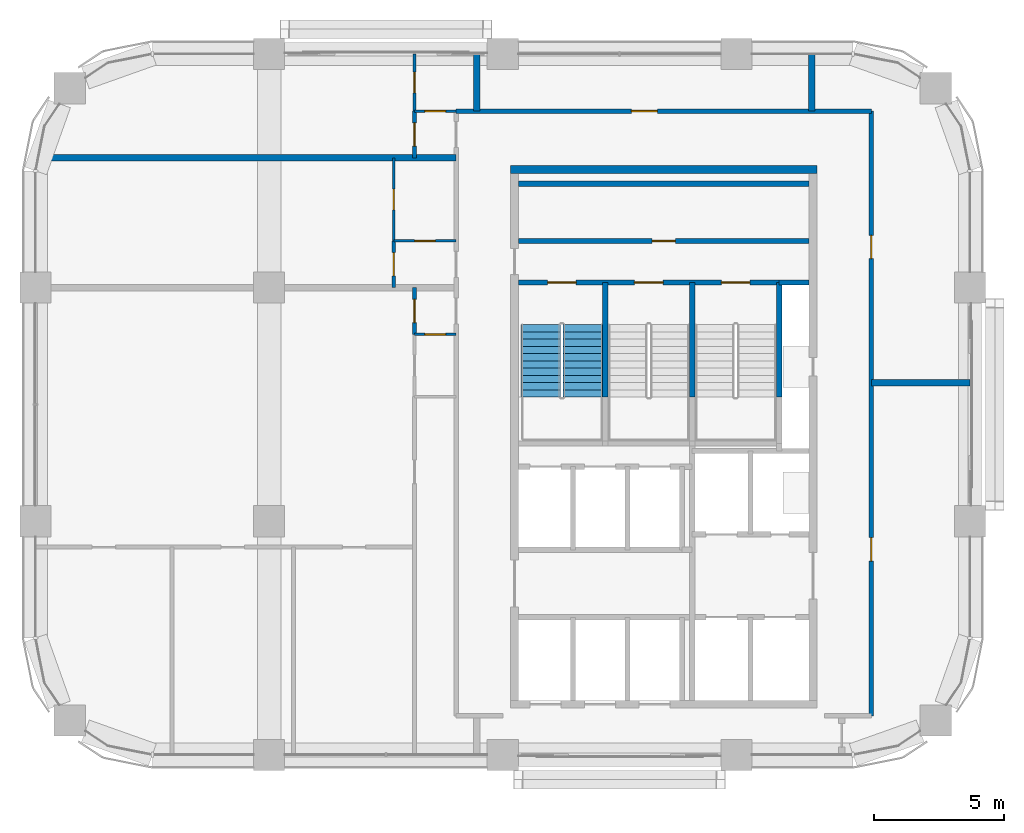
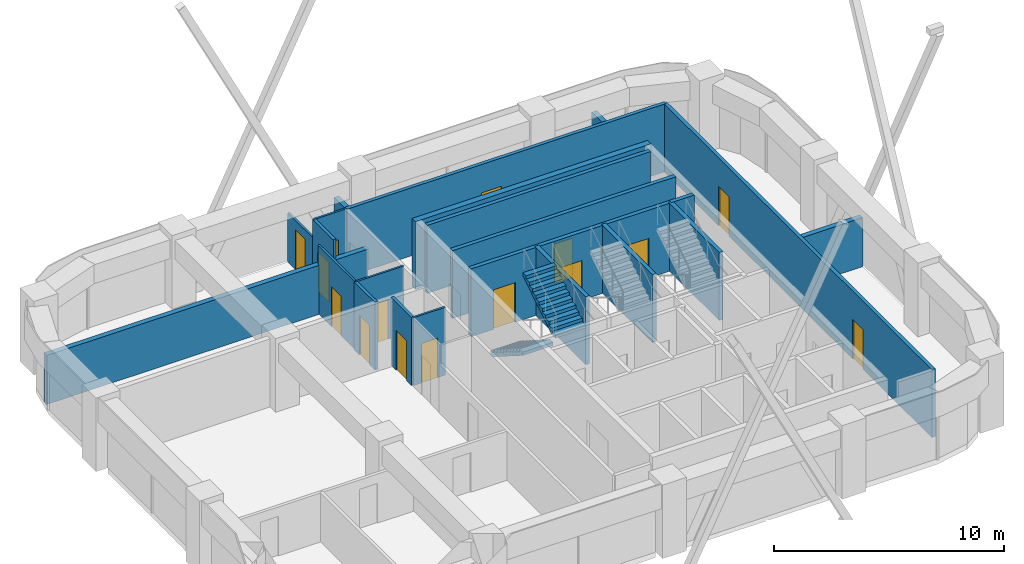
# One storey, part 8 of 10: 22 walls, 15 doors, 2 stair flights, 15 openings, 1 element without a shape of its own.
"""IFC4 building model written with IfcOpenShell, lengths in metres."""

import ifcopenshell
import ifcopenshell.guid

model = None  # the IFC model being written
_history = None  # IfcOwnerHistory: only IFC2X3 demands one
_inside = {}  # id of a spatial element -> (the spatial element, [elements in it])
_under = {}  # id of a project, library or spatial element -> (it, [spatial elements below it])
_declared = {}  # id of a project -> (the project, [libraries it declares])
_typed = {}  # id of a type object -> (the type object, [elements of that type])
_made_of = {}  # id of a material, layer set ... -> (it, [elements and type objects made of it])


def new_model(schema):
    """Start an empty IFC model of exactly this schema.

    Asked for "IFC4X3", IfcOpenShell would pick the latest addendum, in which some entities
    have other attributes; the version numbers below select the first issue.
    IFC2X3 requires an IfcOwnerHistory on every rooted entity: one is made here for all.
    """
    global model, _history
    if schema == "IFC4X3":
        model = ifcopenshell.file(schema_version=(4, 3, 0, 0))
    else:
        model = ifcopenshell.file(schema=schema)
    _inside.clear()
    _under.clear()
    _declared.clear()
    _typed.clear()
    _made_of.clear()
    _history = None
    if model.schema == "IFC2X3":
        org = make("IfcOrganization", Name="unknown")
        user = make(
            "IfcPersonAndOrganization",
            ThePerson=make("IfcPerson", FamilyName="unknown"),
            TheOrganization=org,
        )
        app = make(
            "IfcApplication",
            ApplicationDeveloper=org,
            Version="unknown",
            ApplicationFullName="unknown",
            ApplicationIdentifier="unknown",
        )
        _history = make(
            "IfcOwnerHistory",
            OwningUser=user,
            OwningApplication=app,
            ChangeAction="ADDED",
            CreationDate=0,
        )
    return model


def make(cls, **values):
    """One entity of the class cls with the attributes given. An attribute that is None is left unset."""
    return model.create_entity(
        cls, **{name: value for name, value in values.items() if value is not None}
    )


def rooted(cls, **values):
    """An entity with a GlobalId (a new one), such as an element, a storey or a relation."""
    return make(cls, GlobalId=ifcopenshell.guid.new(), OwnerHistory=_history, **values)


def si_unit(unit_type, name, prefix=None):
    """IfcSIUnit, for example si_unit("LENGTHUNIT", "METRE", prefix="MILLI")."""
    return make("IfcSIUnit", UnitType=unit_type, Prefix=prefix, Name=name)


def assignment(units):
    """IfcUnitAssignment: the units of a project."""
    return None if units is None else make("IfcUnitAssignment", Units=units)


def point(xyz):
    """IfcCartesianPoint."""
    return None if xyz is None else make("IfcCartesianPoint", Coordinates=xyz)


def direction(xyz):
    """IfcDirection."""
    return None if xyz is None else make("IfcDirection", DirectionRatios=xyz)


def frame(location, z_axis=None, x_axis=None):
    """IfcAxis2Placement3D, a coordinate frame: its origin and axes. An axis left out is left unset."""
    return make(
        "IfcAxis2Placement3D",
        Location=point(location),
        Axis=direction(z_axis),
        RefDirection=direction(x_axis),
    )


def frame_2d(location, x_axis=None):
    """IfcAxis2Placement2D, a coordinate frame in the plane: its origin and x axis."""
    return make(
        "IfcAxis2Placement2D", Location=point(location), RefDirection=direction(x_axis)
    )


def origin():
    """The frame at (0, 0, 0) with its axes left unset."""
    return frame((0.0, 0.0, 0.0))


def place(relative_to, where):
    """IfcLocalPlacement: puts the frame where relative to a parent placement (None: the world)."""
    return make(
        "IfcLocalPlacement", PlacementRelTo=relative_to, RelativePlacement=where
    )


def context(
    kind, dimensions, precision=None, world=None, true_north=None, identifier=None
):
    """IfcGeometricRepresentationContext, for example the 3D "Model" context."""
    return make(
        "IfcGeometricRepresentationContext",
        ContextIdentifier=identifier,
        ContextType=kind,
        CoordinateSpaceDimension=dimensions,
        Precision=precision,
        WorldCoordinateSystem=world,
        TrueNorth=true_north,
    )


def subcontext(parent, identifier, kind, view, scale=None):
    """IfcGeometricRepresentationSubContext, for example "Body" below "Model"."""
    return make(
        "IfcGeometricRepresentationSubContext",
        ContextIdentifier=identifier,
        ContextType=kind,
        ParentContext=parent,
        TargetScale=scale,
        TargetView=view,
    )


def project(units=None, contexts=None):
    """IfcProject with its units and contexts."""
    return rooted(
        "IfcProject",
        Name="project",
        RepresentationContexts=contexts,
        UnitsInContext=assignment(units),
    )


def spatial(cls, under=None, at=None, **own):
    """A site, building, storey or space (cls), placed at a placement, below another one or the project."""
    s = rooted(cls, ObjectPlacement=at, **own)
    if under is not None:
        _under.setdefault(under.id(), (under, []))[1].append(s)
    return s


def polyline(points):
    """IfcPolyline through the points."""
    return make("IfcPolyline", Points=[point(p) for p in points])


def profile(cls, at=None, kind="AREA", **sizes):
    """A parametric profile (cls). Its sizes go by their IFC names, for example OverallWidth=200.0."""
    return make(cls, ProfileType=kind, Position=at, **sizes)


def rectangle(**sizes):
    """IfcRectangleProfileDef."""
    return profile("IfcRectangleProfileDef", **sizes)


def outline(outer, holes=None, kind="AREA"):
    """IfcArbitraryClosedProfileDef: a profile drawn as a closed curve; with holes, ...WithVoids."""
    if holes is None:
        return make("IfcArbitraryClosedProfileDef", ProfileType=kind, OuterCurve=outer)
    return make(
        "IfcArbitraryProfileDefWithVoids",
        ProfileType=kind,
        OuterCurve=outer,
        InnerCurves=holes,
    )


def extrude(swept, where, along, depth):
    """IfcExtrudedAreaSolid: the profile swept, set in the frame where, extruded along a direction by depth."""
    return make(
        "IfcExtrudedAreaSolid",
        SweptArea=swept,
        Position=where,
        ExtrudedDirection=direction(along),
        Depth=depth,
    )


def shape(context_of_items, identifier, shape_type, items):
    """IfcShapeRepresentation: the items that make up one representation, for example the "Body"."""
    return make(
        "IfcShapeRepresentation",
        ContextOfItems=context_of_items,
        RepresentationIdentifier=identifier,
        RepresentationType=shape_type,
        Items=items,
    )


def material(Name=None, Category=None):
    """IfcMaterial."""
    return make("IfcMaterial", Name=Name, Category=Category)


def layer(
    of_material, thickness, ventilated=None, Name=None, Category=None, Priority=None
):
    """IfcMaterialLayer: one layer of a wall or slab, of a material (None: an air gap)."""
    return make(
        "IfcMaterialLayer",
        Material=of_material,
        LayerThickness=thickness,
        IsVentilated=ventilated,
        Name=Name,
        Category=Category,
        Priority=Priority,
    )


def layer_set(layers, Name=None):
    """IfcMaterialLayerSet."""
    return make("IfcMaterialLayerSet", MaterialLayers=layers, LayerSetName=Name)


def made_of(thing, what):
    """Note that an element or type object is made of a material, layer set ...; save() writes the relation."""
    if what is not None:
        _made_of.setdefault(what.id(), (what, []))[1].append(thing)
    return thing


def type_object(cls, material=None, **own):
    """A type object (cls), such as IfcWallType, which elements share."""
    return made_of(rooted(cls, **own), material)


def element(
    cls,
    number,
    at=None,
    inside=None,
    cuts=None,
    type_object=None,
    material=None,
    context=None,
    identifier="Body",
    shape_type=None,
    held_by="IfcProductDefinitionShape",
    body=None,
    shapes=None,
    **own,
):
    """One element of the class cls, such as IfcWall. Its Tag is "e" and its number.

    at: its placement. inside: the storey or other place that contains it. cuts: it is an
    opening in that element (IfcRelVoidsElement). A single representation is given by context,
    identifier, shape_type and body (its items); several are given by shapes. held_by: the class
    of the entity that holds the representations. save() writes the other relations.
    """
    e = rooted(cls, Tag="e%d" % number, ObjectPlacement=at, **own)
    if body is not None:
        shapes = [shape(context, identifier, shape_type, body)]
    if shapes is not None:
        e.Representation = make(held_by, Representations=shapes)
    if inside is not None:
        _inside.setdefault(inside.id(), (inside, []))[1].append(e)
    if cuts is not None:
        rooted(
            "IfcRelVoidsElement", RelatingBuildingElement=cuts, RelatedOpeningElement=e
        )
    if type_object is not None:
        _typed.setdefault(type_object.id(), (type_object, []))[1].append(e)
    return made_of(e, material)


def fill(opening, filler):
    """IfcRelFillsElement: the door or window that sits in an opening."""
    return rooted(
        "IfcRelFillsElement",
        RelatingOpeningElement=opening,
        RelatedBuildingElement=filler,
    )


def aggregate(whole, parts):
    """IfcRelAggregates: a whole, such as a stair, and the parts it consists of."""
    return rooted("IfcRelAggregates", RelatingObject=whole, RelatedObjects=parts)


def save(model, path):
    """Write the relations noted so far, then the file.

    IfcRelAggregates (storeys below a building ...), IfcRelContainedInSpatialStructure (elements
    in a storey), IfcRelDefinesByType, IfcRelAssociatesMaterial and IfcRelDeclares: one each for
    every whole, place, type object, material and project.
    """
    for whole, parts in _under.values():
        aggregate(whole, parts)
    for where, things in _inside.values():
        rooted(
            "IfcRelContainedInSpatialStructure",
            RelatedElements=things,
            RelatingStructure=where,
        )
    for kind, things in _typed.values():
        rooted("IfcRelDefinesByType", RelatedObjects=things, RelatingType=kind)
    for what, things in _made_of.values():
        rooted("IfcRelAssociatesMaterial", RelatedObjects=things, RelatingMaterial=what)
    for by, libraries in _declared.values():
        rooted("IfcRelDeclares", RelatingContext=by, RelatedDefinitions=libraries)
    model.write(path)


model = new_model("IFC4")

# Units and contexts
model_context = context("Model", 3, precision=1e-05, world=origin(), true_north=direction((0.0, 1.0)))
body_context = subcontext(model_context, "Body", "Model", "MODEL_VIEW")
ifc_project = project(units=[si_unit("LENGTHUNIT", "METRE"), si_unit("AREAUNIT", "SQUARE_METRE"), si_unit("VOLUMEUNIT", "CUBIC_METRE"), si_unit("PLANEANGLEUNIT", "RADIAN"), si_unit("MASSUNIT", "GRAM", prefix="KILO")], contexts=[model_context])

# Site, building, storey
site_placement = place(None, origin())
site = spatial("IfcSite", under=ifc_project, at=site_placement, CompositionType="ELEMENT")
building_placement = place(site_placement, origin())
building = spatial("IfcBuilding", under=site, at=building_placement, Name="Tessera Arch", CompositionType="ELEMENT")
storey_placement = place(building_placement, frame((0.0, 0.0, 301.199951171875)))
storey = spatial("IfcBuildingStorey", under=building, at=storey_placement, Name="L72", CompositionType="ELEMENT", Elevation=301.199951171875)

# Wall, opening, door
ifc_material_1 = material(Name="Gypsum board on steel stud", Category="steel")
ifc_layer_1 = layer(ifc_material_1, 0.125)
ifc_layer_set_1 = layer_set([ifc_layer_1], Name="Core partition 125 EI 60")
wall_type_1 = type_object("IfcWallType", Name="Core partition 125 EI 60", PredefinedType="PARTITIONING", material=ifc_layer_set_1)
wall_1_placement = place(storey_placement, frame((36.60009765625, 46.800048828125, 0.0), z_axis=(0.0, 0.0, 1.0), x_axis=(1.0, 0.0, 0.0)))
wall_1 = element("IfcWall", 1, at=wall_1_placement, inside=storey, type_object=wall_type_1, Name="L72 C1 partition wall 30", PredefinedType="PARTITIONING", context=body_context, shape_type="SweptSolid", body=[
    extrude(rectangle(XDim=11.199951171875, YDim=0.199951171875, at=frame_2d((5.60009765625, 0.0))), origin(), (0.0, 0.0, 1.0), 3.60009765625),
])
opening_1_placement = place(wall_1_placement, frame((5.14990234375, 0.0, 0.0)))
opening_1 = element("IfcOpeningElement", 2, at=opening_1_placement, cuts=wall_1, Name="Opening L72-C18", PredefinedType="OPENING", context=body_context, shape_type="SweptSolid", body=[
    extrude(rectangle(XDim=0.89990234375, YDim=2.10009765625, at=frame_2d((0.449951171875, 1.050048828125))), frame((0.0, 0.10986328125, 0.0), z_axis=(0.0, -1.0, 0.0), x_axis=(1.0, 0.0, 0.0)), (0.0, 0.0, 1.0), 0.219970703125),
])
ifc_material_2 = material(Name="Steel door leaf", Category="steel")
door_type_1 = type_object("IfcDoorType", Name="Store door FD30S 900 x 2100", OperationType="SINGLE_SWING_LEFT", PredefinedType="DOOR", material=ifc_material_2)
door_1_placement = place(opening_1_placement, origin())
door_1 = element("IfcDoor", 3, at=door_1_placement, inside=storey, type_object=door_type_1, Name="L72 C1 door 18 C18 type D09", OperationType="SINGLE_SWING_RIGHT", OverallHeight=2.10009765625, OverallWidth=0.89990234375, PredefinedType="DOOR", context=body_context, shape_type="SweptSolid", body=[
    extrude(rectangle(XDim=0.89990234375, YDim=2.10009765625, at=frame_2d((0.449951171875, 1.050048828125))), frame((0.0, 0.02490234375, 0.0), z_axis=(0.0, -1.0, 0.0), x_axis=(1.0, 0.0, 0.0)), (0.0, 0.0, 1.0), 0.050048828125),
])
fill(opening_1, door_1)

# Walls
wall_2_placement = place(storey_placement, frame((36.60009765625, 49.0, 0.0), z_axis=(0.0, 0.0, 1.0), x_axis=(1.0, 0.0, 0.0)))
element("IfcWall", 4, at=wall_2_placement, inside=storey, type_object=wall_type_1, Name="L72 C1 partition wall 31", PredefinedType="PARTITIONING", context=body_context, shape_type="SweptSolid", body=[
    extrude(rectangle(XDim=11.199951171875, YDim=0.199951171875, at=frame_2d((5.60009765625, 0.0))), origin(), (0.0, 0.0, 1.0), 3.60009765625),
])
ifc_material_3 = material(Name="Concrete C50/60", Category="concrete")
ifc_layer_2 = layer(ifc_material_3, 0.300048828125)
ifc_layer_set_2 = layer_set([ifc_layer_2], Name="Core shell wall 300 C50-60")
wall_type_2 = type_object("IfcWallType", Name="Core shell wall 300 C50-60", PredefinedType="SHEAR", material=ifc_layer_set_2)
wall_3_placement = place(storey_placement, frame((36.300048828125, 49.550048828125, 0.0), z_axis=(0.0, 0.0, 1.0), x_axis=(1.0, 0.0, 0.0)))
element("IfcWall", 5, at=wall_3_placement, inside=storey, type_object=wall_type_2, Name="L72 C1 core wall N", PredefinedType="SHEAR", context=body_context, shape_type="SweptSolid", body=[
    extrude(rectangle(XDim=11.800048828125, YDim=0.300048828125, at=frame_2d((5.89990234375, 0.0))), origin(), (0.0, 0.0, 1.0), 3.60009765625),
])

# Wall, opening, door
ifc_material_4 = material(Name="Gypsum board on deep steel stud with mineral wool", Category="steel")
ifc_layer_3 = layer(ifc_material_4, 0.175048828125)
ifc_layer_set_3 = layer_set([ifc_layer_3], Name="Corridor wall 175 EI 60")
wall_type_3 = type_object("IfcWallType", Name="Corridor wall 175 EI 60", PredefinedType="PARTITIONING", material=ifc_layer_set_3)
wall_4_placement = place(storey_placement, frame((34.199951171875, 51.800048828125, 0.0), z_axis=(0.0, 0.0, 1.0), x_axis=(1.0, 0.0, 0.0)))
wall_4 = element("IfcWall", 6, at=wall_4_placement, inside=storey, type_object=wall_type_3, Name="L72 partition 3", PredefinedType="PARTITIONING", context=body_context, shape_type="SweptSolid", body=[
    extrude(rectangle(XDim=16.0, YDim=0.175048828125, at=frame_2d((8.0, 0.0))), origin(), (0.0, 0.0, 1.0), 3.60009765625),
])
opening_2_placement = place(wall_4_placement, frame((6.756591796875, 0.0, 0.0)))
opening_2 = element("IfcOpeningElement", 7, at=opening_2_placement, cuts=wall_4, Name="Opening L72-D019", PredefinedType="OPENING", context=body_context, shape_type="SweptSolid", body=[
    extrude(rectangle(XDim=1.0, YDim=2.10009765625, at=frame_2d((0.5, 1.050048828125))), frame((0.0, 0.097412109375, 0.0), z_axis=(0.0, -1.0, 0.0), x_axis=(1.0, 0.0, 0.0)), (0.0, 0.0, 1.0), 0.195068359375),
])
ifc_material_5 = material(Name="Fire-rated door leaf")
door_type_2 = type_object("IfcDoorType", Name="Entrance door FD30S 1000 x 2100", OperationType="SINGLE_SWING_LEFT", PredefinedType="DOOR", material=ifc_material_5)
door_2_placement = place(opening_2_placement, origin())
door_2 = element("IfcDoor", 8, at=door_2_placement, inside=storey, type_object=door_type_2, Name="L72 door D019 type D03", OperationType="SINGLE_SWING_LEFT", OverallHeight=2.10009765625, OverallWidth=1.0, PredefinedType="DOOR", context=body_context, shape_type="SweptSolid", body=[
    extrude(rectangle(XDim=1.0, YDim=2.10009765625, at=frame_2d((0.5, 1.050048828125))), frame((0.0, 0.02490234375, 0.0), z_axis=(0.0, -1.0, 0.0), x_axis=(1.0, 0.0, 0.0)), (0.0, 0.0, 1.0), 0.050048828125),
])
fill(opening_2, door_2)

# Wall, openings, doors
wall_5_placement = place(storey_placement, frame((50.199951171875, 28.5, 0.0), z_axis=(0.0, 0.0, 1.0), x_axis=(0.0, 1.0, 0.0)))
wall_5 = element("IfcWall", 9, at=wall_5_placement, inside=storey, type_object=wall_type_3, Name="L72 partition 5", PredefinedType="PARTITIONING", context=body_context, shape_type="SweptSolid", body=[
    extrude(rectangle(XDim=23.300048828125, YDim=0.175048828125, at=frame_2d((11.64990234375, 0.0))), origin(), (0.0, 0.0, 1.0), 3.60009765625),
])
opening_3_placement = place(wall_5_placement, frame((5.965087890625, 0.0, 0.0)))
opening_3 = element("IfcOpeningElement", 10, at=opening_3_placement, cuts=wall_5, Name="Opening L72-D001", PredefinedType="OPENING", context=body_context, shape_type="SweptSolid", body=[
    extrude(rectangle(XDim=0.89990234375, YDim=2.10009765625, at=frame_2d((0.449951171875, 1.050048828125))), frame((0.0, 0.097412109375, 0.0), z_axis=(0.0, -1.0, 0.0), x_axis=(1.0, 0.0, 0.0)), (0.0, 0.0, 1.0), 0.195068359375),
])
opening_4_placement = place(wall_5_placement, frame((17.614990234375, 0.0, 0.0)))
opening_4 = element("IfcOpeningElement", 11, at=opening_4_placement, cuts=wall_5, Name="Opening L72-D014", PredefinedType="OPENING", context=body_context, shape_type="SweptSolid", body=[
    extrude(rectangle(XDim=0.89990234375, YDim=2.10009765625, at=frame_2d((0.449951171875, 1.050048828125))), frame((0.0, 0.097412109375, 0.0), z_axis=(0.0, -1.0, 0.0), x_axis=(1.0, 0.0, 0.0)), (0.0, 0.0, 1.0), 0.195068359375),
])
ifc_material_6 = material(Name="Timber door leaf", Category="wood")
door_type_3 = type_object("IfcDoorType", Name="Room door 900 x 2100", OperationType="SINGLE_SWING_LEFT", PredefinedType="DOOR", material=ifc_material_6)
door_3_placement = place(opening_3_placement, origin())
door_3 = element("IfcDoor", 12, at=door_3_placement, inside=storey, type_object=door_type_3, Name="L72 door D001 type D01", OperationType="SINGLE_SWING_LEFT", OverallHeight=2.10009765625, OverallWidth=0.89990234375, PredefinedType="DOOR", context=body_context, shape_type="SweptSolid", body=[
    extrude(rectangle(XDim=0.89990234375, YDim=2.10009765625, at=frame_2d((0.449951171875, 1.050048828125))), frame((0.0, 0.02490234375, 0.0), z_axis=(0.0, -1.0, 0.0), x_axis=(1.0, 0.0, 0.0)), (0.0, 0.0, 1.0), 0.050048828125),
])
fill(opening_3, door_3)
door_4_placement = place(opening_4_placement, origin())
door_4 = element("IfcDoor", 13, at=door_4_placement, inside=storey, type_object=door_type_3, Name="L72 door D014 type D01", OperationType="SINGLE_SWING_RIGHT", OverallHeight=2.10009765625, OverallWidth=0.89990234375, PredefinedType="DOOR", context=body_context, shape_type="SweptSolid", body=[
    extrude(rectangle(XDim=0.89990234375, YDim=2.10009765625, at=frame_2d((0.449951171875, 1.050048828125))), frame((0.0, 0.02490234375, 0.0), z_axis=(0.0, -1.0, 0.0), x_axis=(1.0, 0.0, 0.0)), (0.0, 0.0, 1.0), 0.050048828125),
])
fill(opening_4, door_4)

# Wall, opening, door
ifc_material_7 = material(Name="Gypsum board on steel stud", Category="steel")
ifc_layer_4 = layer(ifc_material_7, 0.14990234375)
ifc_layer_set_4 = layer_set([ifc_layer_4], Name="Partition 150")
wall_type_4 = type_object("IfcWallType", Name="Partition 150", PredefinedType="PARTITIONING", material=ifc_layer_set_4)
wall_6_placement = place(storey_placement, frame((31.800048828125, 45.0, 0.0), z_axis=(0.0, 0.0, 1.0), x_axis=(0.0, 1.0, 0.0)))
wall_6 = element("IfcWall", 14, at=wall_6_placement, inside=storey, type_object=wall_type_4, Name="L72 partition 9", PredefinedType="PARTITIONING", context=body_context, shape_type="SweptSolid", body=[
    extrude(rectangle(XDim=1.800048828125, YDim=0.14990234375, at=frame_2d((0.89990234375, 0.0))), origin(), (0.0, 0.0, 1.0), 3.60009765625),
])
opening_5_placement = place(wall_6_placement, frame((0.449951171875, 0.0, 0.0)))
opening_5 = element("IfcOpeningElement", 15, at=opening_5_placement, cuts=wall_6, Name="Opening L72-D011", PredefinedType="OPENING", context=body_context, shape_type="SweptSolid", body=[
    extrude(rectangle(XDim=0.89990234375, YDim=2.10009765625, at=frame_2d((0.449951171875, 1.050048828125))), frame((0.0, 0.0849609375, 0.0), z_axis=(0.0, -1.0, 0.0), x_axis=(1.0, 0.0, 0.0)), (0.0, 0.0, 1.0), 0.169921875),
])
door_5_placement = place(opening_5_placement, origin())
door_5 = element("IfcDoor", 16, at=door_5_placement, inside=storey, type_object=door_type_3, Name="L72 door D011 type D01", OperationType="SINGLE_SWING_LEFT", OverallHeight=2.10009765625, OverallWidth=0.89990234375, PredefinedType="DOOR", context=body_context, shape_type="SweptSolid", body=[
    extrude(rectangle(XDim=0.89990234375, YDim=2.10009765625, at=frame_2d((0.449951171875, 1.050048828125))), frame((0.0, 0.02490234375, 0.0), z_axis=(0.0, -1.0, 0.0), x_axis=(1.0, 0.0, 0.0)), (0.0, 0.0, 1.0), 0.050048828125),
])
fill(opening_5, door_5)

wall_7_placement = place(storey_placement, frame((32.60009765625, 43.199951171875, 0.0), z_axis=(0.0, 0.0, 1.0), x_axis=(0.0, 1.0, 0.0)))
wall_7 = element("IfcWall", 17, at=wall_7_placement, inside=storey, type_object=wall_type_4, Name="L72 partition 11", PredefinedType="PARTITIONING", context=body_context, shape_type="SweptSolid", body=[
    extrude(rectangle(XDim=1.800048828125, YDim=0.14990234375, at=frame_2d((0.89990234375, 0.0))), origin(), (0.0, 0.0, 1.0), 3.60009765625),
])
opening_6_placement = place(wall_7_placement, frame((0.449951171875, 0.0, 0.0)))
opening_6 = element("IfcOpeningElement", 18, at=opening_6_placement, cuts=wall_7, Name="Opening L72-D003", PredefinedType="OPENING", context=body_context, shape_type="SweptSolid", body=[
    extrude(rectangle(XDim=0.89990234375, YDim=2.10009765625, at=frame_2d((0.449951171875, 1.050048828125))), frame((0.0, 0.0849609375, 0.0), z_axis=(0.0, -1.0, 0.0), x_axis=(1.0, 0.0, 0.0)), (0.0, 0.0, 1.0), 0.169921875),
])
door_6_placement = place(opening_6_placement, origin())
door_6 = element("IfcDoor", 19, at=door_6_placement, inside=storey, type_object=door_type_3, Name="L72 door D003 type D01", OperationType="SINGLE_SWING_RIGHT", OverallHeight=2.10009765625, OverallWidth=0.89990234375, PredefinedType="DOOR", context=body_context, shape_type="SweptSolid", body=[
    extrude(rectangle(XDim=0.89990234375, YDim=2.10009765625, at=frame_2d((0.449951171875, 1.050048828125))), frame((0.0, 0.02490234375, 0.0), z_axis=(0.0, -1.0, 0.0), x_axis=(1.0, 0.0, 0.0)), (0.0, 0.0, 1.0), 0.050048828125),
])
fill(opening_6, door_6)

wall_8_placement = place(storey_placement, frame((32.60009765625, 50.0, 0.0), z_axis=(0.0, 0.0, 1.0), x_axis=(0.0, 1.0, 0.0)))
wall_8 = element("IfcWall", 20, at=wall_8_placement, inside=storey, type_object=wall_type_4, Name="L72 partition 12", PredefinedType="PARTITIONING", context=body_context, shape_type="SweptSolid", body=[
    extrude(rectangle(XDim=1.800048828125, YDim=0.14990234375, at=frame_2d((0.89990234375, 0.0))), origin(), (0.0, 0.0, 1.0), 3.60009765625),
])
opening_7_placement = place(wall_8_placement, frame((0.449951171875, 0.0, 0.0)))
opening_7 = element("IfcOpeningElement", 21, at=opening_7_placement, cuts=wall_8, Name="Opening L72-D016", PredefinedType="OPENING", context=body_context, shape_type="SweptSolid", body=[
    extrude(rectangle(XDim=0.89990234375, YDim=2.10009765625, at=frame_2d((0.449951171875, 1.050048828125))), frame((0.0, 0.0849609375, 0.0), z_axis=(0.0, -1.0, 0.0), x_axis=(1.0, 0.0, 0.0)), (0.0, 0.0, 1.0), 0.169921875),
])
door_7_placement = place(opening_7_placement, origin())
door_7 = element("IfcDoor", 22, at=door_7_placement, inside=storey, type_object=door_type_3, Name="L72 door D016 type D01", OperationType="SINGLE_SWING_LEFT", OverallHeight=2.10009765625, OverallWidth=0.89990234375, PredefinedType="DOOR", context=body_context, shape_type="SweptSolid", body=[
    extrude(rectangle(XDim=0.89990234375, YDim=2.10009765625, at=frame_2d((0.449951171875, 1.050048828125))), frame((0.0, 0.02490234375, 0.0), z_axis=(0.0, -1.0, 0.0), x_axis=(1.0, 0.0, 0.0)), (0.0, 0.0, 1.0), 0.050048828125),
])
fill(opening_7, door_7)

# Walls
ifc_material_8 = material(Name="Double gypsum board on twin steel stud with acoustic mineral wool", Category="steel")
ifc_layer_5 = layer(ifc_material_8, 0.25)
ifc_layer_set_5 = layer_set([ifc_layer_5], Name="Party wall 250 EI 60")
wall_type_5 = type_object("IfcWallType", Name="Party wall 250 EI 60", PredefinedType="PARTITIONING", material=ifc_layer_set_5)
wall_9_placement = place(storey_placement, frame((50.199951171875, 41.330078125, 0.0), z_axis=(0.0, 0.0, 1.0), x_axis=(1.0, 0.0, 0.0)))
element("IfcWall", 23, at=wall_9_placement, inside=storey, type_object=wall_type_5, Name="L72 partition 13", PredefinedType="PARTITIONING", context=body_context, shape_type="SweptSolid", body=[
    extrude(rectangle(XDim=3.800048828125, YDim=0.25, at=frame_2d((1.89990234375, 0.0))), origin(), (0.0, 0.0, 1.0), 2.60009765625),
])
wall_10_placement = place(storey_placement, frame((18.099609375, 50.0, 0.0), z_axis=(0.0, 0.0, 1.0), x_axis=(1.0, 0.0, 0.0)))
element("IfcWall", 24, at=wall_10_placement, inside=storey, type_object=wall_type_5, Name="L72 partition 15", PredefinedType="PARTITIONING", context=body_context, shape_type="SweptSolid", body=[
    extrude(rectangle(XDim=16.100341796875, YDim=0.25, at=frame_2d((8.05029296875, 0.0))), origin(), (0.0, 0.0, 1.0), 2.60009765625),
])
for number, where, z_axis, x_axis, name in (
    (25, (35.0, 51.800048828125, 0.0), (0.0, 0.0, 1.0), (0.0, 1.0, 0.0), "L72 partition 17"),
    (26, (47.9130859375, 51.800048828125, 0.0), (0.0, 0.0, 1.0), (0.0, 1.0, 0.0), "L72 partition 18"),
):
    element("IfcWall", number, at=place(storey_placement, frame(where, z_axis=z_axis, x_axis=x_axis)), inside=storey, type_object=wall_type_5, Name=name, PredefinedType="PARTITIONING", context=body_context, shape_type="SweptSolid", body=[
        extrude(rectangle(XDim=2.199951171875, YDim=0.25, at=frame_2d((1.10009765625, 0.0))), origin(), (0.0, 0.0, 1.0), 2.60009765625),
    ])
ifc_material_9 = material(Name="Concrete C40/50", Category="concrete")
ifc_layer_6 = layer(ifc_material_9, 0.199951171875)
ifc_layer_set_6 = layer_set([ifc_layer_6], Name="Shaft wall 200 EI 120")
wall_type_6 = type_object("IfcWallType", Name="Shaft wall 200 EI 120", PredefinedType="SOLIDWALL", material=ifc_layer_set_6)
wall_11_placement = place(storey_placement, frame((46.64990234375, 45.199951171875, 0.0), z_axis=(0.0, 0.0, 1.0), x_axis=(1.0, 0.0, 0.0)))
element("IfcWall", 27, at=wall_11_placement, inside=storey, type_object=wall_type_6, Name="L72 C1 shaft wall 28", PredefinedType="SOLIDWALL", context=body_context, shape_type="SweptSolid", body=[
    extrude(rectangle(XDim=1.150146484375, YDim=0.199951171875, at=frame_2d((0.5751953125, 0.0))), origin(), (0.0, 0.0, 1.0), 3.60009765625),
])
ifc_material_10 = material(Name="Concrete C40/50", Category="concrete")
ifc_layer_7 = layer(ifc_material_10, 0.199951171875)
ifc_layer_set_7 = layer_set([ifc_layer_7], Name="Stair well wall 200 REI 180")
wall_type_7 = type_object("IfcWallType", Name="Stair well wall 200 REI 180", PredefinedType="SOLIDWALL", material=ifc_layer_set_7)
for number, where, z_axis, x_axis, name in (
    (28, (39.949951171875, 40.780029296875, 0.0), (0.0, 0.0, 1.0), (0.0, 1.0, 0.0), "L72 C1 shaft wall 4"),
    (29, (43.300048828125, 40.780029296875, 0.0), (0.0, 0.0, 1.0), (0.0, 1.0, 0.0), "L72 C1 shaft wall 11"),
    (30, (46.64990234375, 40.780029296875, 0.0), (0.0, 0.0, 1.0), (0.0, 1.0, 0.0), "L72 C1 shaft wall 16"),
):
    element("IfcWall", number, at=place(storey_placement, frame(where, z_axis=z_axis, x_axis=x_axis)), inside=storey, type_object=wall_type_7, Name=name, PredefinedType="SOLIDWALL", context=body_context, shape_type="SweptSolid", body=[
        extrude(rectangle(XDim=4.419921875, YDim=0.199951171875, at=frame_2d((2.2099609375, 0.0))), origin(), (0.0, 0.0, 1.0), 3.60009765625),
    ])

# Wall, openings, doors
wall_12_placement = place(storey_placement, frame((36.60009765625, 45.199951171875, 0.0), z_axis=(0.0, 0.0, 1.0), x_axis=(1.0, 0.0, 0.0)))
wall_12 = element("IfcWall", 31, at=wall_12_placement, inside=storey, type_object=wall_type_7, Name="L72 C1 shaft wall 29", PredefinedType="SOLIDWALL", context=body_context, shape_type="SweptSolid", body=[
    extrude(rectangle(XDim=10.0498046875, YDim=0.199951171875, at=frame_2d((5.02490234375, 0.0))), origin(), (0.0, 0.0, 1.0), 3.60009765625),
])
opening_8_placement = place(wall_12_placement, frame((1.125, 0.0, 0.0)))
opening_8 = element("IfcOpeningElement", 32, at=opening_8_placement, cuts=wall_12, Name="Opening L72-C11", PredefinedType="OPENING", context=body_context, shape_type="SweptSolid", body=[
    extrude(rectangle(XDim=1.10009765625, YDim=2.10009765625, at=frame_2d((0.550048828125, 1.050048828125))), frame((0.0, 0.10986328125, 0.0), z_axis=(0.0, -1.0, 0.0), x_axis=(1.0, 0.0, 0.0)), (0.0, 0.0, 1.0), 0.219970703125),
])
opening_9_placement = place(wall_12_placement, frame((4.47509765625, 0.0, 0.0)))
opening_9 = element("IfcOpeningElement", 33, at=opening_9_placement, cuts=wall_12, Name="Opening L72-C12", PredefinedType="OPENING", context=body_context, shape_type="SweptSolid", body=[
    extrude(rectangle(XDim=1.10009765625, YDim=2.10009765625, at=frame_2d((0.550048828125, 1.050048828125))), frame((0.0, 0.10986328125, 0.0), z_axis=(0.0, -1.0, 0.0), x_axis=(1.0, 0.0, 0.0)), (0.0, 0.0, 1.0), 0.219970703125),
])
opening_10_placement = place(wall_12_placement, frame((7.824951171875, 0.0, 0.0)))
opening_10 = element("IfcOpeningElement", 34, at=opening_10_placement, cuts=wall_12, Name="Opening L72-C13", PredefinedType="OPENING", context=body_context, shape_type="SweptSolid", body=[
    extrude(rectangle(XDim=1.10009765625, YDim=2.10009765625, at=frame_2d((0.550048828125, 1.050048828125))), frame((0.0, 0.10986328125, 0.0), z_axis=(0.0, -1.0, 0.0), x_axis=(1.0, 0.0, 0.0)), (0.0, 0.0, 1.0), 0.219970703125),
])
ifc_material_11 = material(Name="Steel door leaf", Category="steel")
door_type_4 = type_object("IfcDoorType", Name="Stair door FD60 1100 x 2100", OperationType="SINGLE_SWING_LEFT", PredefinedType="DOOR", material=ifc_material_11)
door_8_placement = place(opening_8_placement, origin())
door_8 = element("IfcDoor", 35, at=door_8_placement, inside=storey, type_object=door_type_4, Name="L72 C1 door 11 C11 type D05", OperationType="SINGLE_SWING_LEFT", OverallHeight=2.10009765625, OverallWidth=1.10009765625, PredefinedType="DOOR", context=body_context, shape_type="SweptSolid", body=[
    extrude(rectangle(XDim=1.10009765625, YDim=2.10009765625, at=frame_2d((0.550048828125, 1.050048828125))), frame((0.0, 0.02490234375, 0.0), z_axis=(0.0, -1.0, 0.0), x_axis=(1.0, 0.0, 0.0)), (0.0, 0.0, 1.0), 0.050048828125),
])
fill(opening_8, door_8)
door_9_placement = place(opening_9_placement, origin())
door_9 = element("IfcDoor", 36, at=door_9_placement, inside=storey, type_object=door_type_4, Name="L72 C1 door 12 C12 type D05", OperationType="SINGLE_SWING_RIGHT", OverallHeight=2.10009765625, OverallWidth=1.10009765625, PredefinedType="DOOR", context=body_context, shape_type="SweptSolid", body=[
    extrude(rectangle(XDim=1.10009765625, YDim=2.10009765625, at=frame_2d((0.550048828125, 1.050048828125))), frame((0.0, 0.02490234375, 0.0), z_axis=(0.0, -1.0, 0.0), x_axis=(1.0, 0.0, 0.0)), (0.0, 0.0, 1.0), 0.050048828125),
])
fill(opening_9, door_9)
door_10_placement = place(opening_10_placement, origin())
door_10 = element("IfcDoor", 37, at=door_10_placement, inside=storey, type_object=door_type_4, Name="L72 C1 door 13 C13 type D05", OperationType="SINGLE_SWING_RIGHT", OverallHeight=2.10009765625, OverallWidth=1.10009765625, PredefinedType="DOOR", context=body_context, shape_type="SweptSolid", body=[
    extrude(rectangle(XDim=1.10009765625, YDim=2.10009765625, at=frame_2d((0.550048828125, 1.050048828125))), frame((0.0, 0.02490234375, 0.0), z_axis=(0.0, -1.0, 0.0), x_axis=(1.0, 0.0, 0.0)), (0.0, 0.0, 1.0), 0.050048828125),
])
fill(opening_10, door_10)

# Wall, opening, door
ifc_material_12 = material(Name="Moisture-resistant board on pre-plumbed steel stud", Category="steel")
ifc_layer_8 = layer(ifc_material_12, 0.10009765625)
ifc_layer_set_8 = layer_set([ifc_layer_8], Name="Wet wall 100")
wall_type_8 = type_object("IfcWallType", Name="Wet wall 100", PredefinedType="PARTITIONING", material=ifc_layer_set_8)
wall_13_placement = place(storey_placement, frame((32.60009765625, 43.199951171875, 0.0), z_axis=(0.0, 0.0, 1.0), x_axis=(1.0, 0.0, 0.0)))
wall_13 = element("IfcWall", 38, at=wall_13_placement, inside=storey, type_object=wall_type_8, Name="L72 partition 21", PredefinedType="PARTITIONING", context=body_context, shape_type="SweptSolid", body=[
    extrude(rectangle(XDim=1.599853515625, YDim=0.10009765625, at=frame_2d((0.7998046875, 0.0))), origin(), (0.0, 0.0, 1.0), 3.60009765625),
])
opening_11_placement = place(wall_13_placement, frame((0.39990234375, 0.0, 0.0)))
opening_11 = element("IfcOpeningElement", 39, at=opening_11_placement, cuts=wall_13, Name="Opening L72-D004", PredefinedType="OPENING", context=body_context, shape_type="SweptSolid", body=[
    extrude(rectangle(XDim=0.800048828125, YDim=2.10009765625, at=frame_2d((0.39990234375, 1.050048828125))), frame((0.0, 0.06005859375, 0.0), z_axis=(0.0, -1.0, 0.0), x_axis=(1.0, 0.0, 0.0)), (0.0, 0.0, 1.0), 0.1201171875),
])
ifc_material_13 = material(Name="Timber door leaf", Category="wood")
door_type_5 = type_object("IfcDoorType", Name="En-suite door 800 x 2100", OperationType="SINGLE_SWING_LEFT", PredefinedType="DOOR", material=ifc_material_13)
door_11_placement = place(opening_11_placement, origin())
door_11 = element("IfcDoor", 40, at=door_11_placement, inside=storey, type_object=door_type_5, Name="L72 door D004 type D02", OperationType="SINGLE_SWING_RIGHT", OverallHeight=2.10009765625, OverallWidth=0.800048828125, PredefinedType="DOOR", context=body_context, shape_type="SweptSolid", body=[
    extrude(rectangle(XDim=0.800048828125, YDim=2.10009765625, at=frame_2d((0.39990234375, 1.050048828125))), frame((0.0, 0.02490234375, 0.0), z_axis=(0.0, -1.0, 0.0), x_axis=(1.0, 0.0, 0.0)), (0.0, 0.0, 1.0), 0.050048828125),
])
fill(opening_11, door_11)

wall_14_placement = place(storey_placement, frame((31.800048828125, 46.800048828125, 0.0), z_axis=(0.0, 0.0, 1.0), x_axis=(1.0, 0.0, 0.0)))
wall_14 = element("IfcWall", 41, at=wall_14_placement, inside=storey, type_object=wall_type_8, Name="L72 partition 22", PredefinedType="PARTITIONING", context=body_context, shape_type="SweptSolid", body=[
    extrude(rectangle(XDim=2.39990234375, YDim=0.10009765625, at=frame_2d((1.199951171875, 0.0))), origin(), (0.0, 0.0, 1.0), 3.60009765625),
])
opening_12_placement = place(wall_14_placement, frame((0.800048828125, 0.0, 0.0)))
opening_12 = element("IfcOpeningElement", 42, at=opening_12_placement, cuts=wall_14, Name="Opening L72-D012", PredefinedType="OPENING", context=body_context, shape_type="SweptSolid", body=[
    extrude(rectangle(XDim=0.800048828125, YDim=2.10009765625, at=frame_2d((0.39990234375, 1.050048828125))), frame((0.0, 0.06005859375, 0.0), z_axis=(0.0, -1.0, 0.0), x_axis=(1.0, 0.0, 0.0)), (0.0, 0.0, 1.0), 0.1201171875),
])
door_12_placement = place(opening_12_placement, origin())
door_12 = element("IfcDoor", 43, at=door_12_placement, inside=storey, type_object=door_type_5, Name="L72 door D012 type D02", OperationType="SINGLE_SWING_RIGHT", OverallHeight=2.10009765625, OverallWidth=0.800048828125, PredefinedType="DOOR", context=body_context, shape_type="SweptSolid", body=[
    extrude(rectangle(XDim=0.800048828125, YDim=2.10009765625, at=frame_2d((0.39990234375, 1.050048828125))), frame((0.0, 0.02490234375, 0.0), z_axis=(0.0, -1.0, 0.0), x_axis=(1.0, 0.0, 0.0)), (0.0, 0.0, 1.0), 0.050048828125),
])
fill(opening_12, door_12)

wall_15_placement = place(storey_placement, frame((32.60009765625, 51.800048828125, 0.0), z_axis=(0.0, 0.0, 1.0), x_axis=(1.0, 0.0, 0.0)))
wall_15 = element("IfcWall", 44, at=wall_15_placement, inside=storey, type_object=wall_type_8, Name="L72 partition 23", PredefinedType="PARTITIONING", context=body_context, shape_type="SweptSolid", body=[
    extrude(rectangle(XDim=1.599853515625, YDim=0.10009765625, at=frame_2d((0.7998046875, 0.0))), origin(), (0.0, 0.0, 1.0), 3.60009765625),
])
opening_13_placement = place(wall_15_placement, frame((0.39990234375, 0.0, 0.0)))
opening_13 = element("IfcOpeningElement", 45, at=opening_13_placement, cuts=wall_15, Name="Opening L72-D017", PredefinedType="OPENING", context=body_context, shape_type="SweptSolid", body=[
    extrude(rectangle(XDim=0.800048828125, YDim=2.10009765625, at=frame_2d((0.39990234375, 1.050048828125))), frame((0.0, 0.06005859375, 0.0), z_axis=(0.0, -1.0, 0.0), x_axis=(1.0, 0.0, 0.0)), (0.0, 0.0, 1.0), 0.1201171875),
])
door_13_placement = place(opening_13_placement, origin())
door_13 = element("IfcDoor", 46, at=door_13_placement, inside=storey, type_object=door_type_5, Name="L72 door D017 type D02", OperationType="SINGLE_SWING_RIGHT", OverallHeight=2.10009765625, OverallWidth=0.800048828125, PredefinedType="DOOR", context=body_context, shape_type="SweptSolid", body=[
    extrude(rectangle(XDim=0.800048828125, YDim=2.10009765625, at=frame_2d((0.39990234375, 1.050048828125))), frame((0.0, 0.02490234375, 0.0), z_axis=(0.0, -1.0, 0.0), x_axis=(1.0, 0.0, 0.0)), (0.0, 0.0, 1.0), 0.050048828125),
])
fill(opening_13, door_13)

wall_16_placement = place(storey_placement, frame((31.800048828125, 46.800048828125, 0.0), z_axis=(0.0, 0.0, 1.0), x_axis=(0.0, 1.0, 0.0)))
wall_16 = element("IfcWall", 47, at=wall_16_placement, inside=storey, type_object=wall_type_8, Name="L72 partition 24", PredefinedType="PARTITIONING", context=body_context, shape_type="SweptSolid", body=[
    extrude(rectangle(XDim=3.199951171875, YDim=0.10009765625, at=frame_2d((1.60009765625, 0.0))), origin(), (0.0, 0.0, 1.0), 3.60009765625),
])
opening_14_placement = place(wall_16_placement, frame((1.199951171875, 0.0, 0.0)))
opening_14 = element("IfcOpeningElement", 48, at=opening_14_placement, cuts=wall_16, Name="Opening L72-D013", PredefinedType="OPENING", context=body_context, shape_type="SweptSolid", body=[
    extrude(rectangle(XDim=0.800048828125, YDim=2.10009765625, at=frame_2d((0.39990234375, 1.050048828125))), frame((0.0, 0.06005859375, 0.0), z_axis=(0.0, -1.0, 0.0), x_axis=(1.0, 0.0, 0.0)), (0.0, 0.0, 1.0), 0.1201171875),
])
door_14_placement = place(opening_14_placement, origin())
door_14 = element("IfcDoor", 49, at=door_14_placement, inside=storey, type_object=door_type_5, Name="L72 door D013 type D02", OperationType="SINGLE_SWING_RIGHT", OverallHeight=2.10009765625, OverallWidth=0.800048828125, PredefinedType="DOOR", context=body_context, shape_type="SweptSolid", body=[
    extrude(rectangle(XDim=0.800048828125, YDim=2.10009765625, at=frame_2d((0.39990234375, 1.050048828125))), frame((0.0, 0.02490234375, 0.0), z_axis=(0.0, -1.0, 0.0), x_axis=(1.0, 0.0, 0.0)), (0.0, 0.0, 1.0), 0.050048828125),
])
fill(opening_14, door_14)

wall_17_placement = place(storey_placement, frame((32.60009765625, 51.800048828125, 0.0), z_axis=(0.0, 0.0, 1.0), x_axis=(0.0, 1.0, 0.0)))
wall_17 = element("IfcWall", 50, at=wall_17_placement, inside=storey, type_object=wall_type_8, Name="L72 partition 26", PredefinedType="PARTITIONING", context=body_context, shape_type="SweptSolid", body=[
    extrude(rectangle(XDim=2.199951171875, YDim=0.10009765625, at=frame_2d((1.10009765625, 0.0))), origin(), (0.0, 0.0, 1.0), 2.60009765625),
])
opening_15_placement = place(wall_17_placement, frame((0.699951171875, 0.0, 0.0)))
opening_15 = element("IfcOpeningElement", 51, at=opening_15_placement, cuts=wall_17, Name="Opening L72-D018", PredefinedType="OPENING", context=body_context, shape_type="SweptSolid", body=[
    extrude(rectangle(XDim=0.800048828125, YDim=2.10009765625, at=frame_2d((0.39990234375, 1.050048828125))), frame((0.0, 0.06005859375, 0.0), z_axis=(0.0, -1.0, 0.0), x_axis=(1.0, 0.0, 0.0)), (0.0, 0.0, 1.0), 0.1201171875),
])
door_15_placement = place(opening_15_placement, origin())
door_15 = element("IfcDoor", 52, at=door_15_placement, inside=storey, type_object=door_type_5, Name="L72 door D018 type D02", OperationType="SINGLE_SWING_RIGHT", OverallHeight=2.10009765625, OverallWidth=0.800048828125, PredefinedType="DOOR", context=body_context, shape_type="SweptSolid", body=[
    extrude(rectangle(XDim=0.800048828125, YDim=2.10009765625, at=frame_2d((0.39990234375, 1.050048828125))), frame((0.0, 0.02490234375, 0.0), z_axis=(0.0, -1.0, 0.0), x_axis=(1.0, 0.0, 0.0)), (0.0, 0.0, 1.0), 0.050048828125),
])
fill(opening_15, door_15)

# Stair, stair flights
ifc_material_14 = material(Name="Concrete C40/50", Category="concrete")
stair_type = type_object("IfcStairType", Name="Dogleg stair 1520", PredefinedType="HALF_TURN_STAIR", material=ifc_material_14)
stair_placement = place(storey_placement, origin())
stair = element("IfcStair", 53, at=stair_placement, inside=storey, type_object=stair_type, Name="L72 S1a", PredefinedType="HALF_TURN_STAIR")
ifc_material_15 = material(Name="Concrete C40/50", Category="concrete")
stair_flight_type = type_object("IfcStairFlightType", Name="Stair flight 1520", PredefinedType="STRAIGHT", material=ifc_material_15)
stair_flight_1_placement = place(storey_placement, frame((37.4599609375, 43.580078125, 0.0), z_axis=(0.0, 0.0, 1.0), x_axis=(0.0, -1.0, 0.0)))
stair_flight_1 = element("IfcStairFlight", 54, at=stair_flight_1_placement, type_object=stair_flight_type, Name="S1a flight 1", NumberOfRisers=11, NumberOfTreads=10, PredefinedType="STRAIGHT", RiserHeight=0.177272727, TreadLength=0.28, context=body_context, shape_type="SweptSolid", body=[
    extrude(outline(polyline([(0.0, 0.0), (0.0, 0.17724609375), (0.280029296875, 0.17724609375), (0.280029296875, 0.3544921875), (0.56005859375, 0.3544921875), (0.56005859375, 0.53173828125), (0.840087890625, 0.53173828125), (0.840087890625, 0.708984375), (1.1201171875, 0.708984375), (1.1201171875, 0.886474609375), (1.39990234375, 0.886474609375), (1.39990234375, 1.063720703125), (1.679931640625, 1.063720703125), (1.679931640625, 1.240966796875), (1.9599609375, 1.240966796875), (1.9599609375, 1.418212890625), (2.239990234375, 1.418212890625), (2.239990234375, 1.595458984375), (2.52001953125, 1.595458984375), (2.52001953125, 1.772705078125), (2.800048828125, 1.772705078125), (2.800048828125, 1.949951171875), (2.800048828125, 1.59521484375), (0.2802734375, 0.0), (0.0, 0.0)])), frame((0.0, 0.760009765625, 0.0), z_axis=(0.0, -1.0, 0.0), x_axis=(1.0, 0.0, 0.0)), (0.0, 0.0, 1.0), 1.52001953125),
])
stair_flight_2_placement = place(storey_placement, frame((39.090087890625, 40.780029296875, 1.949951171875), z_axis=(0.0, 0.0, 1.0), x_axis=(0.0, 1.0, 0.0)))
stair_flight_2 = element("IfcStairFlight", 55, at=stair_flight_2_placement, type_object=stair_flight_type, Name="S1a flight 2", NumberOfRisers=11, NumberOfTreads=10, PredefinedType="STRAIGHT", RiserHeight=0.177272727, TreadLength=0.28, context=body_context, shape_type="SweptSolid", body=[
    extrude(outline(polyline([(0.0, 0.0), (0.0, 0.17724609375), (0.280029296875, 0.17724609375), (0.280029296875, 0.3544921875), (0.56005859375, 0.3544921875), (0.56005859375, 0.53173828125), (0.840087890625, 0.53173828125), (0.840087890625, 0.708984375), (1.1201171875, 0.708984375), (1.1201171875, 0.886474609375), (1.39990234375, 0.886474609375), (1.39990234375, 1.063720703125), (1.679931640625, 1.063720703125), (1.679931640625, 1.240966796875), (1.9599609375, 1.240966796875), (1.9599609375, 1.418212890625), (2.239990234375, 1.418212890625), (2.239990234375, 1.595458984375), (2.52001953125, 1.595458984375), (2.52001953125, 1.772705078125), (2.800048828125, 1.772705078125), (2.800048828125, 1.949951171875), (2.800048828125, 1.59521484375), (0.2802734375, 0.0), (0.0, 0.0)])), frame((0.0, 0.760009765625, 0.0), z_axis=(0.0, -1.0, 0.0), x_axis=(1.0, 0.0, 0.0)), (0.0, 0.0, 1.0), 1.52001953125),
])
aggregate(stair, [stair_flight_1, stair_flight_2])

save(model, "model.ifc")
